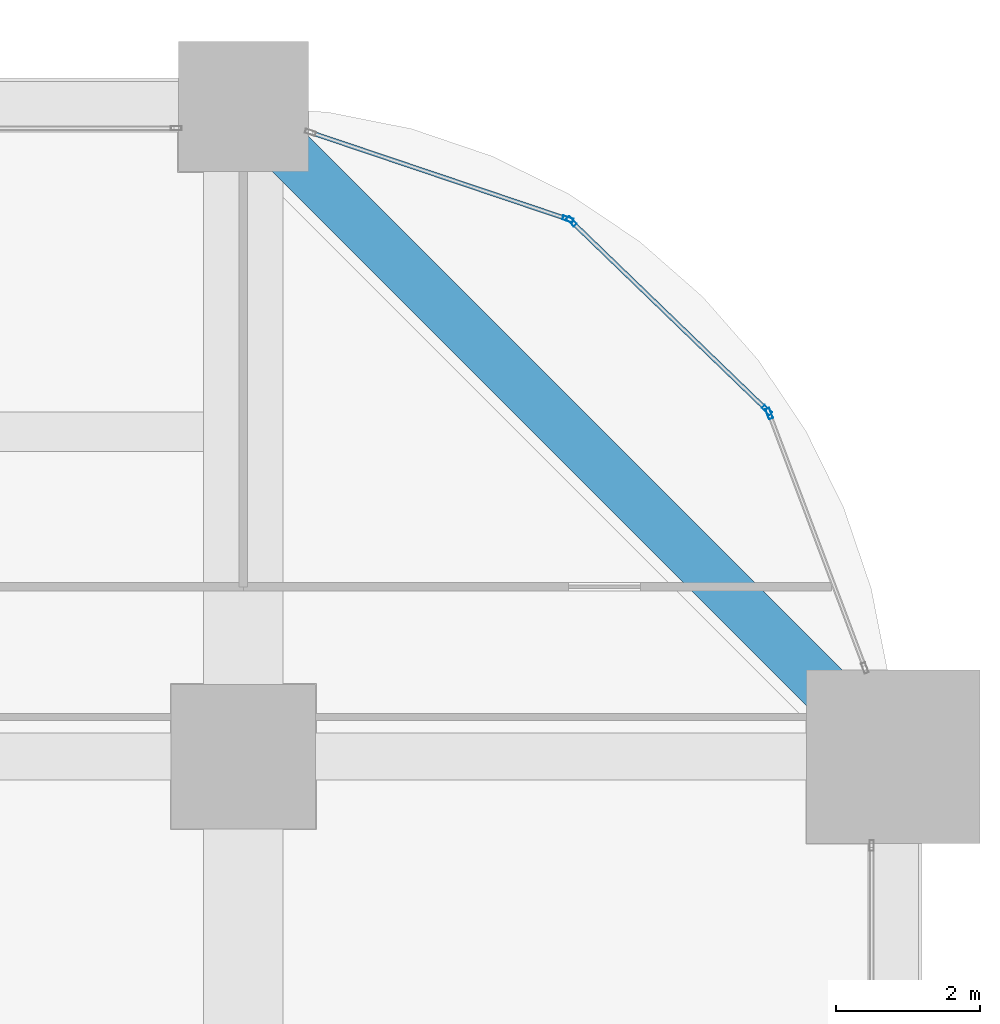
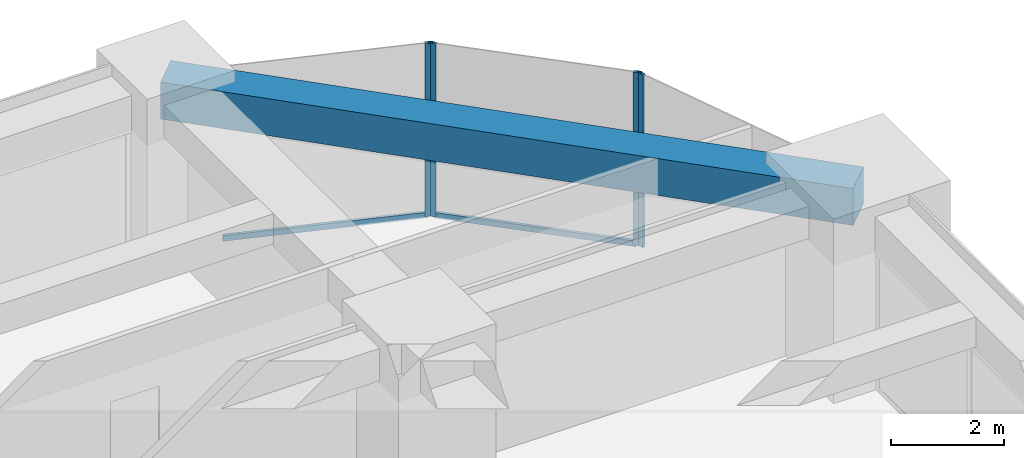
# One storey, part 34 of 41: 6 members, 1 beam, 3 elements without a shape of their own.
"""IFC4 building model written with IfcOpenShell, lengths in metres."""

import ifcopenshell
import ifcopenshell.guid

model = None  # the IFC model being written
_history = None  # IfcOwnerHistory: only IFC2X3 demands one
_inside = {}  # id of a spatial element -> (the spatial element, [elements in it])
_under = {}  # id of a project, library or spatial element -> (it, [spatial elements below it])
_declared = {}  # id of a project -> (the project, [libraries it declares])
_typed = {}  # id of a type object -> (the type object, [elements of that type])
_made_of = {}  # id of a material, layer set ... -> (it, [elements and type objects made of it])


def new_model(schema):
    """Start an empty IFC model of exactly this schema.

    Asked for "IFC4X3", IfcOpenShell would pick the latest addendum, in which some entities
    have other attributes; the version numbers below select the first issue.
    IFC2X3 requires an IfcOwnerHistory on every rooted entity: one is made here for all.
    """
    global model, _history
    if schema == "IFC4X3":
        model = ifcopenshell.file(schema_version=(4, 3, 0, 0))
    else:
        model = ifcopenshell.file(schema=schema)
    _inside.clear()
    _under.clear()
    _declared.clear()
    _typed.clear()
    _made_of.clear()
    _history = None
    if model.schema == "IFC2X3":
        org = make("IfcOrganization", Name="unknown")
        user = make(
            "IfcPersonAndOrganization",
            ThePerson=make("IfcPerson", FamilyName="unknown"),
            TheOrganization=org,
        )
        app = make(
            "IfcApplication",
            ApplicationDeveloper=org,
            Version="unknown",
            ApplicationFullName="unknown",
            ApplicationIdentifier="unknown",
        )
        _history = make(
            "IfcOwnerHistory",
            OwningUser=user,
            OwningApplication=app,
            ChangeAction="ADDED",
            CreationDate=0,
        )
    return model


def make(cls, **values):
    """One entity of the class cls with the attributes given. An attribute that is None is left unset."""
    return model.create_entity(
        cls, **{name: value for name, value in values.items() if value is not None}
    )


def rooted(cls, **values):
    """An entity with a GlobalId (a new one), such as an element, a storey or a relation."""
    return make(cls, GlobalId=ifcopenshell.guid.new(), OwnerHistory=_history, **values)


def si_unit(unit_type, name, prefix=None):
    """IfcSIUnit, for example si_unit("LENGTHUNIT", "METRE", prefix="MILLI")."""
    return make("IfcSIUnit", UnitType=unit_type, Prefix=prefix, Name=name)


def assignment(units):
    """IfcUnitAssignment: the units of a project."""
    return None if units is None else make("IfcUnitAssignment", Units=units)


def point(xyz):
    """IfcCartesianPoint."""
    return None if xyz is None else make("IfcCartesianPoint", Coordinates=xyz)


def direction(xyz):
    """IfcDirection."""
    return None if xyz is None else make("IfcDirection", DirectionRatios=xyz)


def frame(location, z_axis=None, x_axis=None):
    """IfcAxis2Placement3D, a coordinate frame: its origin and axes. An axis left out is left unset."""
    return make(
        "IfcAxis2Placement3D",
        Location=point(location),
        Axis=direction(z_axis),
        RefDirection=direction(x_axis),
    )


def frame_2d(location, x_axis=None):
    """IfcAxis2Placement2D, a coordinate frame in the plane: its origin and x axis."""
    return make(
        "IfcAxis2Placement2D", Location=point(location), RefDirection=direction(x_axis)
    )


def origin():
    """The frame at (0, 0, 0) with its axes left unset."""
    return frame((0.0, 0.0, 0.0))


def origin_2d():
    """The frame at (0, 0) in the plane with its x axis left unset."""
    return frame_2d((0.0, 0.0))


def place(relative_to, where):
    """IfcLocalPlacement: puts the frame where relative to a parent placement (None: the world)."""
    return make(
        "IfcLocalPlacement", PlacementRelTo=relative_to, RelativePlacement=where
    )


def context(
    kind, dimensions, precision=None, world=None, true_north=None, identifier=None
):
    """IfcGeometricRepresentationContext, for example the 3D "Model" context."""
    return make(
        "IfcGeometricRepresentationContext",
        ContextIdentifier=identifier,
        ContextType=kind,
        CoordinateSpaceDimension=dimensions,
        Precision=precision,
        WorldCoordinateSystem=world,
        TrueNorth=true_north,
    )


def subcontext(parent, identifier, kind, view, scale=None):
    """IfcGeometricRepresentationSubContext, for example "Body" below "Model"."""
    return make(
        "IfcGeometricRepresentationSubContext",
        ContextIdentifier=identifier,
        ContextType=kind,
        ParentContext=parent,
        TargetScale=scale,
        TargetView=view,
    )


def project(units=None, contexts=None):
    """IfcProject with its units and contexts."""
    return rooted(
        "IfcProject",
        Name="project",
        RepresentationContexts=contexts,
        UnitsInContext=assignment(units),
    )


def spatial(cls, under=None, at=None, **own):
    """A site, building, storey or space (cls), placed at a placement, below another one or the project."""
    s = rooted(cls, ObjectPlacement=at, **own)
    if under is not None:
        _under.setdefault(under.id(), (under, []))[1].append(s)
    return s


def profile(cls, at=None, kind="AREA", **sizes):
    """A parametric profile (cls). Its sizes go by their IFC names, for example OverallWidth=200.0."""
    return make(cls, ProfileType=kind, Position=at, **sizes)


def rectangle(**sizes):
    """IfcRectangleProfileDef."""
    return profile("IfcRectangleProfileDef", **sizes)


def hollow_rectangle(**sizes):
    """IfcRectangleHollowProfileDef."""
    return profile("IfcRectangleHollowProfileDef", **sizes)


def extrude(swept, where, along, depth):
    """IfcExtrudedAreaSolid: the profile swept, set in the frame where, extruded along a direction by depth."""
    return make(
        "IfcExtrudedAreaSolid",
        SweptArea=swept,
        Position=where,
        ExtrudedDirection=direction(along),
        Depth=depth,
    )


def shape(context_of_items, identifier, shape_type, items):
    """IfcShapeRepresentation: the items that make up one representation, for example the "Body"."""
    return make(
        "IfcShapeRepresentation",
        ContextOfItems=context_of_items,
        RepresentationIdentifier=identifier,
        RepresentationType=shape_type,
        Items=items,
    )


def material(Name=None, Category=None):
    """IfcMaterial."""
    return make("IfcMaterial", Name=Name, Category=Category)


def material_profile(
    of_material, cross_section, Name=None, Category=None, Priority=None
):
    """IfcMaterialProfile: a cross section and its material."""
    return make(
        "IfcMaterialProfile",
        Name=Name,
        Material=of_material,
        Profile=cross_section,
        Priority=Priority,
        Category=Category,
    )


def profile_set(profiles, Name=None, composite=None):
    """IfcMaterialProfileSet."""
    return make(
        "IfcMaterialProfileSet",
        Name=Name,
        MaterialProfiles=profiles,
        CompositeProfile=composite,
    )


def made_of(thing, what):
    """Note that an element or type object is made of a material, layer set ...; save() writes the relation."""
    if what is not None:
        _made_of.setdefault(what.id(), (what, []))[1].append(thing)
    return thing


def type_object(cls, material=None, **own):
    """A type object (cls), such as IfcWallType, which elements share."""
    return made_of(rooted(cls, **own), material)


def element(
    cls,
    number,
    at=None,
    inside=None,
    cuts=None,
    type_object=None,
    material=None,
    context=None,
    identifier="Body",
    shape_type=None,
    held_by="IfcProductDefinitionShape",
    body=None,
    shapes=None,
    **own,
):
    """One element of the class cls, such as IfcWall. Its Tag is "e" and its number.

    at: its placement. inside: the storey or other place that contains it. cuts: it is an
    opening in that element (IfcRelVoidsElement). A single representation is given by context,
    identifier, shape_type and body (its items); several are given by shapes. held_by: the class
    of the entity that holds the representations. save() writes the other relations.
    """
    e = rooted(cls, Tag="e%d" % number, ObjectPlacement=at, **own)
    if body is not None:
        shapes = [shape(context, identifier, shape_type, body)]
    if shapes is not None:
        e.Representation = make(held_by, Representations=shapes)
    if inside is not None:
        _inside.setdefault(inside.id(), (inside, []))[1].append(e)
    if cuts is not None:
        rooted(
            "IfcRelVoidsElement", RelatingBuildingElement=cuts, RelatedOpeningElement=e
        )
    if type_object is not None:
        _typed.setdefault(type_object.id(), (type_object, []))[1].append(e)
    return made_of(e, material)


def aggregate(whole, parts):
    """IfcRelAggregates: a whole, such as a stair, and the parts it consists of."""
    return rooted("IfcRelAggregates", RelatingObject=whole, RelatedObjects=parts)


def save(model, path):
    """Write the relations noted so far, then the file.

    IfcRelAggregates (storeys below a building ...), IfcRelContainedInSpatialStructure (elements
    in a storey), IfcRelDefinesByType, IfcRelAssociatesMaterial and IfcRelDeclares: one each for
    every whole, place, type object, material and project.
    """
    for whole, parts in _under.values():
        aggregate(whole, parts)
    for where, things in _inside.values():
        rooted(
            "IfcRelContainedInSpatialStructure",
            RelatedElements=things,
            RelatingStructure=where,
        )
    for kind, things in _typed.values():
        rooted("IfcRelDefinesByType", RelatedObjects=things, RelatingType=kind)
    for what, things in _made_of.values():
        rooted("IfcRelAssociatesMaterial", RelatedObjects=things, RelatingMaterial=what)
    for by, libraries in _declared.values():
        rooted("IfcRelDeclares", RelatingContext=by, RelatedDefinitions=libraries)
    model.write(path)


model = new_model("IFC4")

# Units and contexts
model_context = context("Model", 3, precision=1e-05, world=origin(), true_north=direction((0.0, 1.0)))
body_context = subcontext(model_context, "Body", "Model", "MODEL_VIEW")
ifc_project = project(units=[si_unit("LENGTHUNIT", "METRE"), si_unit("AREAUNIT", "SQUARE_METRE"), si_unit("VOLUMEUNIT", "CUBIC_METRE"), si_unit("PLANEANGLEUNIT", "RADIAN"), si_unit("MASSUNIT", "GRAM", prefix="KILO")], contexts=[model_context])

# Site, building, storey
site_placement = place(None, origin())
site = spatial("IfcSite", under=ifc_project, at=site_placement, CompositionType="ELEMENT")
building_placement = place(site_placement, origin())
building = spatial("IfcBuilding", under=site, at=building_placement, Name="Zorevar Civic Tower", CompositionType="ELEMENT")
storey_placement = place(building_placement, frame((0.0, 0.0, 105.0)))
storey = spatial("IfcBuildingStorey", under=building, at=storey_placement, Name="L25", CompositionType="ELEMENT", Elevation=105.0)

# Curtain wall, member
ifc_material_1 = material(Name="Dark grey solar-control glass in black aluminium frame", Category="aluminium")
curtain_wall_type = type_object("IfcCurtainWallType", Name="Curtain wall CW3 mid zone", PredefinedType="NOTDEFINED", material=ifc_material_1)
curtain_wall_1_placement = place(storey_placement, origin())
curtain_wall_1 = element("IfcCurtainWall", 1, at=curtain_wall_1_placement, inside=storey, type_object=curtain_wall_type, Name="CW3 L25", PredefinedType="NOTDEFINED")
ifc_material_2 = material(Name="Aluminium, black anodised", Category="aluminium")
ifc_material_profile_1 = material_profile(ifc_material_2, hollow_rectangle(XDim=0.06005859375, YDim=0.14990234375, WallThickness=0.00390625, at=origin_2d()), Name="AL 150x60x4")
ifc_profile_set_1 = profile_set([ifc_material_profile_1], Name="Aluminium, black anodised")
member_type_1 = type_object("IfcMemberType", Name="CW3 mullion AL 150x60x4", PredefinedType="MULLION", material=ifc_profile_set_1)
member_1_placement = place(storey_placement, frame((61.281494140625, 40.749267578125, 0.0), z_axis=(0.0, 0.0, 1.0), x_axis=(-0.935950528564, -0.352131520999, 0.0)))
member_1 = element("IfcMember", 2, at=member_1_placement, type_object=member_type_1, Name="CW3 mullion 2", PredefinedType="MULLION", context=body_context, shape_type="SweptSolid", body=[
    extrude(hollow_rectangle(XDim=0.06005859375, YDim=0.14990234375, WallThickness=0.00390625, at=origin_2d()), origin(), (0.0, 0.0, 1.0), 3.75),
])
aggregate(curtain_wall_1, [member_1])

# Curtain wall, members
curtain_wall_2_placement = place(storey_placement, origin())
curtain_wall_2 = element("IfcCurtainWall", 3, at=curtain_wall_2_placement, inside=storey, type_object=curtain_wall_type, Name="CW3 L25", PredefinedType="NOTDEFINED")
member_2_placement = place(storey_placement, frame((61.249267578125, 40.798095703125, 0.0), z_axis=(0.0, 0.0, 1.0), x_axis=(-0.694719089155, -0.719281160023, 0.0)))
member_2 = element("IfcMember", 4, at=member_2_placement, type_object=member_type_1, Name="CW3 mullion 1", PredefinedType="MULLION", context=body_context, shape_type="SweptSolid", body=[
    extrude(hollow_rectangle(XDim=0.06005859375, YDim=0.14990234375, WallThickness=0.00390625, at=origin_2d()), origin(), (0.0, 0.0, 1.0), 3.75),
])
member_3_placement = place(storey_placement, frame((58.54345703125, 43.41162109375, 0.0), z_axis=(0.0, 0.0, 1.0), x_axis=(-0.694719089155, -0.719281160023, 0.0)))
member_3 = element("IfcMember", 5, at=member_3_placement, type_object=member_type_1, Name="CW3 mullion 2", PredefinedType="MULLION", context=body_context, shape_type="SweptSolid", body=[
    extrude(hollow_rectangle(XDim=0.06005859375, YDim=0.14990234375, WallThickness=0.00390625, at=origin_2d()), origin(), (0.0, 0.0, 1.0), 3.75),
])

# Curtain wall, member
curtain_wall_3_placement = place(storey_placement, origin())
curtain_wall_3 = element("IfcCurtainWall", 6, at=curtain_wall_3_placement, inside=storey, type_object=curtain_wall_type, Name="CW3 L25", PredefinedType="NOTDEFINED")
member_4_placement = place(storey_placement, frame((58.493408203125, 43.442138671875, 0.0), z_axis=(0.0, 0.0, 1.0), x_axis=(-0.319412525043, -0.947615765406, 0.0)))
member_4 = element("IfcMember", 7, at=member_4_placement, type_object=member_type_1, Name="CW3 mullion 1", PredefinedType="MULLION", context=body_context, shape_type="SweptSolid", body=[
    extrude(hollow_rectangle(XDim=0.06005859375, YDim=0.14990234375, WallThickness=0.00390625, at=origin_2d()), origin(), (0.0, 0.0, 1.0), 3.75),
])

# Member
ifc_material_3 = material(Name="Aluminium, black anodised", Category="aluminium")
ifc_material_profile_2 = material_profile(ifc_material_3, hollow_rectangle(XDim=0.06005859375, YDim=0.1201171875, WallThickness=0.0029296875, at=origin_2d()), Name="AL 120x60x3")
ifc_profile_set_2 = profile_set([ifc_material_profile_2], Name="Aluminium, black anodised")
member_type_2 = type_object("IfcMemberType", Name="CW3 transom AL 120x60x3", PredefinedType="USERDEFINED", material=ifc_profile_set_2)
member_5_placement = place(storey_placement, frame((61.227783203125, 40.81884765625, 0.030029296875), z_axis=(-0.719266228526, 0.694734548228, 0.0), x_axis=(-0.694734548228, -0.719266228526, 0.0)))
member_5 = element("IfcMember", 8, at=member_5_placement, type_object=member_type_2, Name="CW3 sill transom", ObjectType="TRANSOM", PredefinedType="USERDEFINED", context=body_context, shape_type="SweptSolid", body=[
    extrude(hollow_rectangle(XDim=0.06005859375, YDim=0.1201171875, WallThickness=0.0029296875, at=origin_2d()), origin(), (0.0, 0.0, 1.0), 3.7021484375),
])

aggregate(curtain_wall_2, [member_2, member_3, member_5])

member_6_placement = place(storey_placement, frame((58.465087890625, 43.45166015625, 0.030029296875), z_axis=(-0.9476295577, 0.319371603893, 0.0), x_axis=(-0.319371603893, -0.9476295577, 0.0)))
member_6 = element("IfcMember", 9, at=member_6_placement, type_object=member_type_2, Name="CW3 sill transom", ObjectType="TRANSOM", PredefinedType="USERDEFINED", context=body_context, shape_type="SweptSolid", body=[
    extrude(hollow_rectangle(XDim=0.06005859375, YDim=0.1201171875, WallThickness=0.0029296875, at=origin_2d()), origin(), (0.0, 0.0, 1.0), 3.7021484375),
])

aggregate(curtain_wall_3, [member_4, member_6])

# Beam
ifc_material_4 = material(Name="Concrete C50/60", Category="concrete")
ifc_material_profile_3 = material_profile(ifc_material_4, rectangle(XDim=0.699951171875, YDim=0.800048828125, at=origin_2d()), Name="RC 700x800")
ifc_profile_set_3 = profile_set([ifc_material_profile_3], Name="Concrete C50/60")
beam_type = type_object("IfcBeamType", Name="Edge beam RC 700x800", PredefinedType="SPANDREL", material=ifc_profile_set_3)
beam_placement = place(storey_placement, frame((63.0, 36.0, 3.35009765625), z_axis=(-0.707106781187, 0.707106781187, 0.0), x_axis=(-0.707106781187, -0.707106781187, 0.0)))
element("IfcBeam", 10, at=beam_placement, inside=storey, type_object=beam_type, Name="Corner edge beam L26", PredefinedType="SPANDREL", context=body_context, shape_type="SweptSolid", body=[
    extrude(rectangle(XDim=0.699951171875, YDim=0.800048828125, at=origin_2d()), origin(), (0.0, 0.0, 1.0), 12.72802734375),
])

save(model, "model.ifc")
